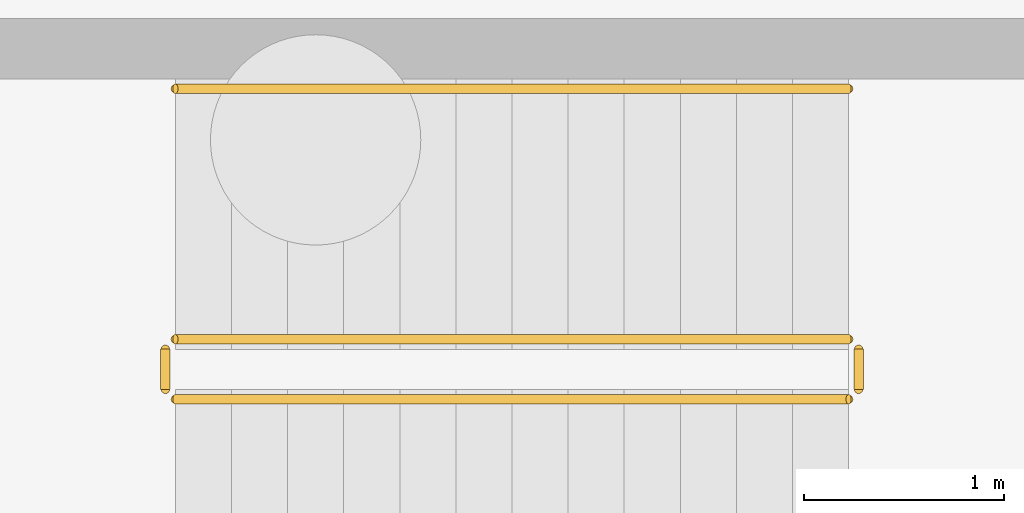
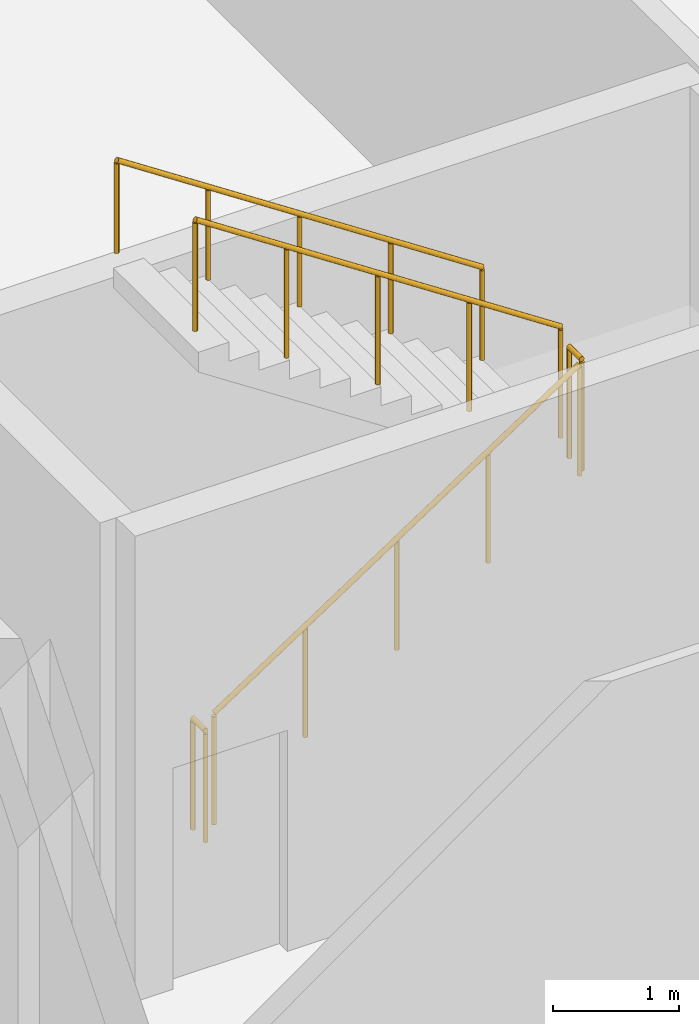
# One storey, part 284 of 285: 5 railings.
"""IFC4 building model written with IfcOpenShell, lengths in metres."""

from ifc_helpers import new_model, si_unit, direction, frame, origin, origin_2d, place, context, subcontext, project, spatial, circle, extrude, material, layer, layer_set, type_object, element, save


model = new_model("IFC4")

# Units and contexts
model_context = context("Model", 3, precision=1e-05, world=origin(), true_north=direction((0.0, 1.0)))
body_context = subcontext(model_context, "Body", "Model", "MODEL_VIEW")
ifc_project = project(units=[si_unit("LENGTHUNIT", "METRE"), si_unit("AREAUNIT", "SQUARE_METRE"), si_unit("VOLUMEUNIT", "CUBIC_METRE"), si_unit("PLANEANGLEUNIT", "RADIAN"), si_unit("MASSUNIT", "GRAM", prefix="KILO")], contexts=[model_context])

# Site, building, storey
site_placement = place(None, origin())
site = spatial("IfcSite", under=ifc_project, at=site_placement, CompositionType="ELEMENT")
building_placement = place(site_placement, origin())
building = spatial("IfcBuilding", under=site, at=building_placement, Name="Solanera Park Tramway Depot", CompositionType="ELEMENT")
storey_placement = place(building_placement, origin())
storey = spatial("IfcBuildingStorey", under=building, at=storey_placement, Name="L00", CompositionType="ELEMENT", Elevation=0.0)

# Railings
ifc_material_1 = material(Name="Brushed stainless steel 316 handrail", Category="steel")
ifc_layer_1 = layer(ifc_material_1, 0.050048828125)
ifc_layer_set_1 = layer_set([ifc_layer_1], Name="Brushed stainless steel 316 handrail")
railing_type_1 = type_object("IfcRailingType", Name="Stair Pitch Tubular Handrail 920", PredefinedType="HANDRAIL", material=ifc_layer_set_1)
railing_1_placement = place(storey_placement, frame((172.06005859375, 133.64990234375, 2.584716796875)))
element("IfcRailing", 1, at=railing_1_placement, inside=storey, type_object=railing_type_1, Name="ST-11 L00 Pitch Handrail 2", PredefinedType="HANDRAIL", context=body_context, shape_type="SweptSolid", body=[
    extrude(circle(Radius=0.02392578125, at=origin_2d()), frame((0.0, 0.0, 0.89599609375), z_axis=(-0.834876476806, 0.0, 0.550437342915), x_axis=(0.0, -1.0, 0.0)), (0.0, 0.0, 1.0), 4.024658203125),
    extrude(circle(Radius=0.02099609375, at=origin_2d()), origin(), (0.0, 0.0, 1.0), 0.871826171875),
    extrude(circle(Radius=0.02099609375, at=origin_2d()), frame((-0.840087890625, 0.0, 0.5537109375)), (0.0, 0.0, 1.0), 0.871826171875),
    extrude(circle(Radius=0.02099609375, at=origin_2d()), frame((-1.68017578125, 0.0, 1.107666015625)), (0.0, 0.0, 1.0), 0.871826171875),
    extrude(circle(Radius=0.02099609375, at=origin_2d()), frame((-2.52001953125, 0.0, 1.66162109375)), (0.0, 0.0, 1.0), 0.871826171875),
    extrude(circle(Radius=0.02099609375, at=origin_2d()), frame((-3.360107421875, 0.0, 2.21533203125)), (0.0, 0.0, 1.0), 0.871826171875),
])
ifc_material_2 = material(Name="Steel AS/NZS 1163 Grade C350L0", Category="steel")
ifc_layer_2 = layer(ifc_material_2, 0.06005859375)
ifc_layer_set_2 = layer_set([ifc_layer_2], Name="Steel AS/NZS 1163 Grade C350L0")
railing_type_2 = type_object("IfcRailingType", Name="Stairwell Guardrail 1100", PredefinedType="GUARDRAIL", material=ifc_layer_set_2)
railing_2_placement = place(storey_placement, frame((168.699951171875, 132.10009765625, 0.1845703125)))
element("IfcRailing", 2, at=railing_2_placement, inside=storey, type_object=railing_type_2, Name="ST-11 L00 Well Guard 1", PredefinedType="GUARDRAIL", context=body_context, shape_type="SweptSolid", body=[
    extrude(circle(Radius=0.02392578125, at=origin_2d()), frame((0.0, 0.0, 1.076171875), z_axis=(0.834876476806, 0.0, 0.550437342915), x_axis=(0.0, 1.0, 0.0)), (0.0, 0.0, 1.0), 4.024658203125),
    extrude(circle(Radius=0.02099609375, at=origin_2d()), origin(), (0.0, 0.0, 1.0), 1.052001953125),
    extrude(circle(Radius=0.02099609375, at=origin_2d()), frame((0.840087890625, 0.0, 0.5537109375)), (0.0, 0.0, 1.0), 1.052001953125),
    extrude(circle(Radius=0.02099609375, at=origin_2d()), frame((1.68017578125, 0.0, 1.107666015625)), (0.0, 0.0, 1.0), 1.052001953125),
    extrude(circle(Radius=0.02099609375, at=origin_2d()), frame((2.52001953125, 0.0, 1.66162109375)), (0.0, 0.0, 1.0), 1.052001953125),
    extrude(circle(Radius=0.02099609375, at=origin_2d()), frame((3.360107421875, 0.0, 2.21533203125)), (0.0, 0.0, 1.0), 1.052001953125),
])
railing_3_placement = place(storey_placement, frame((172.110107421875, 132.14990234375, 2.39990234375)))
element("IfcRailing", 3, at=railing_3_placement, inside=storey, type_object=railing_type_2, Name="ST-11 L00 Well Guard 2", PredefinedType="GUARDRAIL", context=body_context, shape_type="SweptSolid", body=[
    extrude(circle(Radius=0.02392578125, at=origin_2d()), frame((0.0, 0.0, 1.076171875), z_axis=(0.0, 1.0, 0.0), x_axis=(-1.0, 0.0, 0.0)), (0.0, 0.0, 1.0), 0.2001953125),
    extrude(circle(Radius=0.02099609375, at=origin_2d()), origin(), (0.0, 0.0, 1.0), 1.052001953125),
    extrude(circle(Radius=0.02099609375, at=origin_2d()), frame((0.0, 0.2001953125, 0.0)), (0.0, 0.0, 1.0), 1.052001953125),
])
railing_4_placement = place(storey_placement, frame((172.06005859375, 132.39990234375, 2.584716796875)))
element("IfcRailing", 4, at=railing_4_placement, inside=storey, type_object=railing_type_2, Name="ST-11 L00 Well Guard 3", PredefinedType="GUARDRAIL", context=body_context, shape_type="SweptSolid", body=[
    extrude(circle(Radius=0.02392578125, at=origin_2d()), frame((0.0, 0.0, 1.076171875), z_axis=(-0.834876476806, 0.0, 0.550437342915), x_axis=(0.0, -1.0, 0.0)), (0.0, 0.0, 1.0), 4.024658203125),
    extrude(circle(Radius=0.02099609375, at=origin_2d()), origin(), (0.0, 0.0, 1.0), 1.052001953125),
    extrude(circle(Radius=0.02099609375, at=origin_2d()), frame((-0.840087890625, 0.0, 0.5537109375)), (0.0, 0.0, 1.0), 1.052001953125),
    extrude(circle(Radius=0.02099609375, at=origin_2d()), frame((-1.68017578125, 0.0, 1.107666015625)), (0.0, 0.0, 1.0), 1.052001953125),
    extrude(circle(Radius=0.02099609375, at=origin_2d()), frame((-2.52001953125, 0.0, 1.66162109375)), (0.0, 0.0, 1.0), 1.052001953125),
    extrude(circle(Radius=0.02099609375, at=origin_2d()), frame((-3.360107421875, 0.0, 2.21533203125)), (0.0, 0.0, 1.0), 1.052001953125),
])
railing_5_placement = place(storey_placement, frame((168.64990234375, 132.14990234375, 0.0)))
element("IfcRailing", 5, at=railing_5_placement, inside=storey, type_object=railing_type_2, Name="ST-11 L00 Well Guard 4", PredefinedType="GUARDRAIL", context=body_context, shape_type="SweptSolid", body=[
    extrude(circle(Radius=0.02392578125, at=origin_2d()), frame((0.0, 0.0, 1.076171875), z_axis=(0.0, 1.0, 0.0), x_axis=(-1.0, 0.0, 0.0)), (0.0, 0.0, 1.0), 0.2001953125),
    extrude(circle(Radius=0.02099609375, at=origin_2d()), origin(), (0.0, 0.0, 1.0), 1.052001953125),
    extrude(circle(Radius=0.02099609375, at=origin_2d()), frame((0.0, 0.2001953125, 0.0)), (0.0, 0.0, 1.0), 1.052001953125),
])

save(model, "model.ifc")
